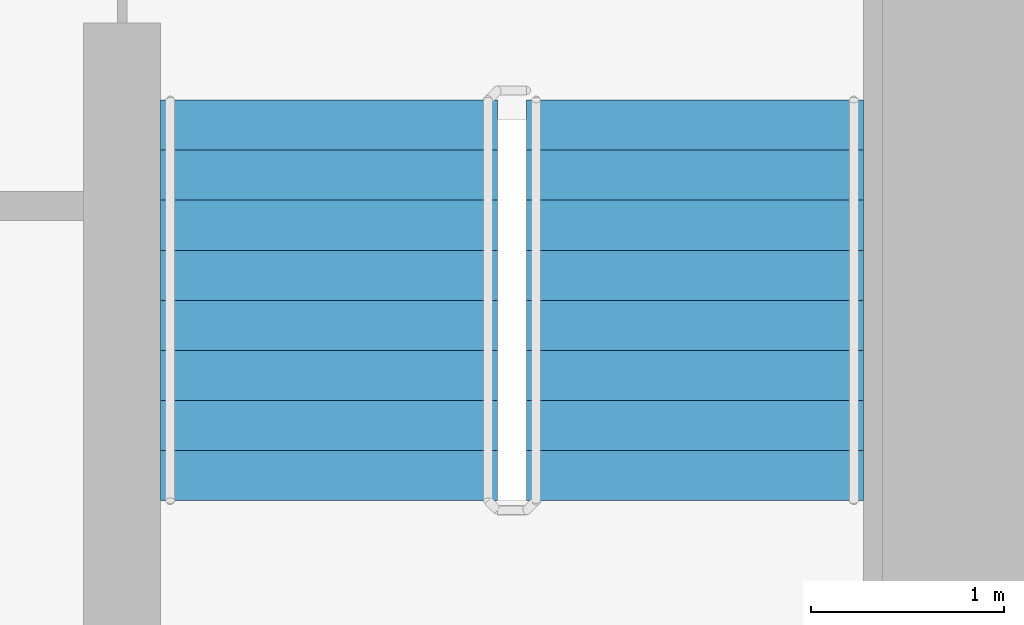
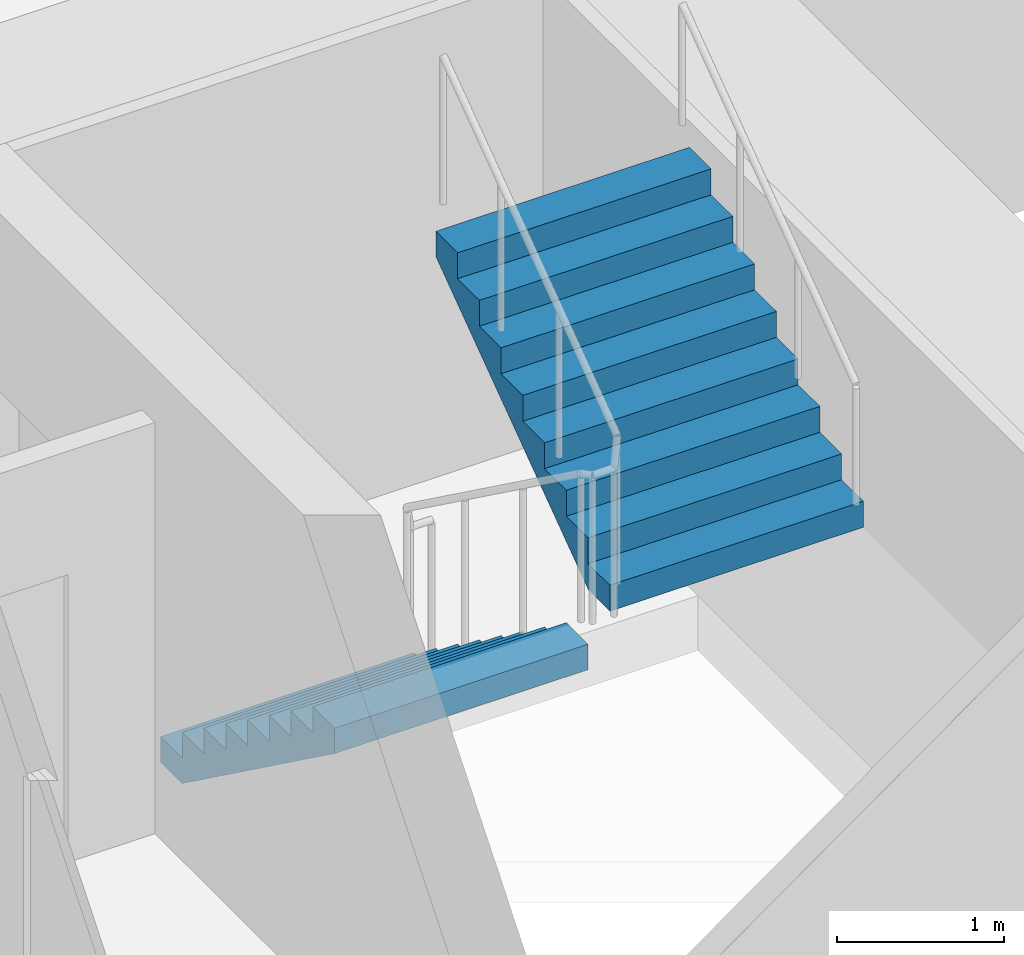
# One storey, part 18 of 21: 2 stair flights, 1 element without a shape of its own.
"""IFC4 building model written with IfcOpenShell, lengths in metres."""

import ifcopenshell
import ifcopenshell.guid

model = None  # the IFC model being written
_history = None  # IfcOwnerHistory: only IFC2X3 demands one
_inside = {}  # id of a spatial element -> (the spatial element, [elements in it])
_under = {}  # id of a project, library or spatial element -> (it, [spatial elements below it])
_declared = {}  # id of a project -> (the project, [libraries it declares])
_typed = {}  # id of a type object -> (the type object, [elements of that type])
_made_of = {}  # id of a material, layer set ... -> (it, [elements and type objects made of it])


def new_model(schema):
    """Start an empty IFC model of exactly this schema.

    Asked for "IFC4X3", IfcOpenShell would pick the latest addendum, in which some entities
    have other attributes; the version numbers below select the first issue.
    IFC2X3 requires an IfcOwnerHistory on every rooted entity: one is made here for all.
    """
    global model, _history
    if schema == "IFC4X3":
        model = ifcopenshell.file(schema_version=(4, 3, 0, 0))
    else:
        model = ifcopenshell.file(schema=schema)
    _inside.clear()
    _under.clear()
    _declared.clear()
    _typed.clear()
    _made_of.clear()
    _history = None
    if model.schema == "IFC2X3":
        org = make("IfcOrganization", Name="unknown")
        user = make(
            "IfcPersonAndOrganization",
            ThePerson=make("IfcPerson", FamilyName="unknown"),
            TheOrganization=org,
        )
        app = make(
            "IfcApplication",
            ApplicationDeveloper=org,
            Version="unknown",
            ApplicationFullName="unknown",
            ApplicationIdentifier="unknown",
        )
        _history = make(
            "IfcOwnerHistory",
            OwningUser=user,
            OwningApplication=app,
            ChangeAction="ADDED",
            CreationDate=0,
        )
    return model


def make(cls, **values):
    """One entity of the class cls with the attributes given. An attribute that is None is left unset."""
    return model.create_entity(
        cls, **{name: value for name, value in values.items() if value is not None}
    )


def rooted(cls, **values):
    """An entity with a GlobalId (a new one), such as an element, a storey or a relation."""
    return make(cls, GlobalId=ifcopenshell.guid.new(), OwnerHistory=_history, **values)


def si_unit(unit_type, name, prefix=None):
    """IfcSIUnit, for example si_unit("LENGTHUNIT", "METRE", prefix="MILLI")."""
    return make("IfcSIUnit", UnitType=unit_type, Prefix=prefix, Name=name)


def assignment(units):
    """IfcUnitAssignment: the units of a project."""
    return None if units is None else make("IfcUnitAssignment", Units=units)


def point(xyz):
    """IfcCartesianPoint."""
    return None if xyz is None else make("IfcCartesianPoint", Coordinates=xyz)


def direction(xyz):
    """IfcDirection."""
    return None if xyz is None else make("IfcDirection", DirectionRatios=xyz)


def frame(location, z_axis=None, x_axis=None):
    """IfcAxis2Placement3D, a coordinate frame: its origin and axes. An axis left out is left unset."""
    return make(
        "IfcAxis2Placement3D",
        Location=point(location),
        Axis=direction(z_axis),
        RefDirection=direction(x_axis),
    )


def origin():
    """The frame at (0, 0, 0) with its axes left unset."""
    return frame((0.0, 0.0, 0.0))


def place(relative_to, where):
    """IfcLocalPlacement: puts the frame where relative to a parent placement (None: the world)."""
    return make(
        "IfcLocalPlacement", PlacementRelTo=relative_to, RelativePlacement=where
    )


def context(
    kind, dimensions, precision=None, world=None, true_north=None, identifier=None
):
    """IfcGeometricRepresentationContext, for example the 3D "Model" context."""
    return make(
        "IfcGeometricRepresentationContext",
        ContextIdentifier=identifier,
        ContextType=kind,
        CoordinateSpaceDimension=dimensions,
        Precision=precision,
        WorldCoordinateSystem=world,
        TrueNorth=true_north,
    )


def subcontext(parent, identifier, kind, view, scale=None):
    """IfcGeometricRepresentationSubContext, for example "Body" below "Model"."""
    return make(
        "IfcGeometricRepresentationSubContext",
        ContextIdentifier=identifier,
        ContextType=kind,
        ParentContext=parent,
        TargetScale=scale,
        TargetView=view,
    )


def project(units=None, contexts=None):
    """IfcProject with its units and contexts."""
    return rooted(
        "IfcProject",
        Name="project",
        RepresentationContexts=contexts,
        UnitsInContext=assignment(units),
    )


def spatial(cls, under=None, at=None, **own):
    """A site, building, storey or space (cls), placed at a placement, below another one or the project."""
    s = rooted(cls, ObjectPlacement=at, **own)
    if under is not None:
        _under.setdefault(under.id(), (under, []))[1].append(s)
    return s


def faces_of(points, faces, orient=None, outer=None):
    """IfcFace entities. A face is a list of loops; a loop is a list of indices into points, from 0.

    orient and outer hold one flag for each loop. By default every Orientation is true, the
    first loop of a face is its IfcFaceOuterBound and the others are IfcFaceBound.
    """
    made = []
    for i, loops in enumerate(faces):
        bounds = []
        for j, loop in enumerate(loops):
            is_outer = j == 0 if outer is None else outer[i][j]
            bounds.append(
                make(
                    "IfcFaceOuterBound" if is_outer else "IfcFaceBound",
                    Bound=make("IfcPolyLoop", Polygon=[points[k] for k in loop]),
                    Orientation=True if orient is None else orient[i][j],
                )
            )
        made.append(make("IfcFace", Bounds=bounds))
    return made


def faceted_brep(points, faces, orient=None, outer=None, voids=None):
    """IfcFacetedBrep: a solid bounded by flat faces; with voids (closed shells), ...WithVoids."""
    shared = [point(p) for p in points]
    hull = make("IfcClosedShell", CfsFaces=faces_of(shared, faces, orient, outer))
    if voids is None:
        return make("IfcFacetedBrep", Outer=hull)
    return make(
        "IfcFacetedBrepWithVoids",
        Outer=hull,
        Voids=[
            make(cls, CfsFaces=faces_of(shared, fs, o, b)) for cls, fs, o, b in voids
        ],
    )


def shape(context_of_items, identifier, shape_type, items):
    """IfcShapeRepresentation: the items that make up one representation, for example the "Body"."""
    return make(
        "IfcShapeRepresentation",
        ContextOfItems=context_of_items,
        RepresentationIdentifier=identifier,
        RepresentationType=shape_type,
        Items=items,
    )


def material(Name=None, Category=None):
    """IfcMaterial."""
    return make("IfcMaterial", Name=Name, Category=Category)


def made_of(thing, what):
    """Note that an element or type object is made of a material, layer set ...; save() writes the relation."""
    if what is not None:
        _made_of.setdefault(what.id(), (what, []))[1].append(thing)
    return thing


def type_object(cls, material=None, **own):
    """A type object (cls), such as IfcWallType, which elements share."""
    return made_of(rooted(cls, **own), material)


def element(
    cls,
    number,
    at=None,
    inside=None,
    cuts=None,
    type_object=None,
    material=None,
    context=None,
    identifier="Body",
    shape_type=None,
    held_by="IfcProductDefinitionShape",
    body=None,
    shapes=None,
    **own,
):
    """One element of the class cls, such as IfcWall. Its Tag is "e" and its number.

    at: its placement. inside: the storey or other place that contains it. cuts: it is an
    opening in that element (IfcRelVoidsElement). A single representation is given by context,
    identifier, shape_type and body (its items); several are given by shapes. held_by: the class
    of the entity that holds the representations. save() writes the other relations.
    """
    e = rooted(cls, Tag="e%d" % number, ObjectPlacement=at, **own)
    if body is not None:
        shapes = [shape(context, identifier, shape_type, body)]
    if shapes is not None:
        e.Representation = make(held_by, Representations=shapes)
    if inside is not None:
        _inside.setdefault(inside.id(), (inside, []))[1].append(e)
    if cuts is not None:
        rooted(
            "IfcRelVoidsElement", RelatingBuildingElement=cuts, RelatedOpeningElement=e
        )
    if type_object is not None:
        _typed.setdefault(type_object.id(), (type_object, []))[1].append(e)
    return made_of(e, material)


def aggregate(whole, parts):
    """IfcRelAggregates: a whole, such as a stair, and the parts it consists of."""
    return rooted("IfcRelAggregates", RelatingObject=whole, RelatedObjects=parts)


def save(model, path):
    """Write the relations noted so far, then the file.

    IfcRelAggregates (storeys below a building ...), IfcRelContainedInSpatialStructure (elements
    in a storey), IfcRelDefinesByType, IfcRelAssociatesMaterial and IfcRelDeclares: one each for
    every whole, place, type object, material and project.
    """
    for whole, parts in _under.values():
        aggregate(whole, parts)
    for where, things in _inside.values():
        rooted(
            "IfcRelContainedInSpatialStructure",
            RelatedElements=things,
            RelatingStructure=where,
        )
    for kind, things in _typed.values():
        rooted("IfcRelDefinesByType", RelatedObjects=things, RelatingType=kind)
    for what, things in _made_of.values():
        rooted("IfcRelAssociatesMaterial", RelatedObjects=things, RelatingMaterial=what)
    for by, libraries in _declared.values():
        rooted("IfcRelDeclares", RelatingContext=by, RelatedDefinitions=libraries)
    model.write(path)


model = new_model("IFC4")

# Units and contexts
model_context = context("Model", 3, precision=1e-05, world=origin(), true_north=direction((0.0, 1.0)))
body_context = subcontext(model_context, "Body", "Model", "MODEL_VIEW")
ifc_project = project(units=[si_unit("LENGTHUNIT", "METRE"), si_unit("AREAUNIT", "SQUARE_METRE"), si_unit("VOLUMEUNIT", "CUBIC_METRE"), si_unit("PLANEANGLEUNIT", "RADIAN"), si_unit("MASSUNIT", "GRAM", prefix="KILO")], contexts=[model_context])

# Site, building, storey
site_placement = place(None, origin())
site = spatial("IfcSite", under=ifc_project, at=site_placement, CompositionType="ELEMENT")
building_placement = place(site_placement, origin())
building = spatial("IfcBuilding", under=site, at=building_placement, Name="Ipe Terrace Towers", CompositionType="ELEMENT")
storey_placement = place(building_placement, frame((0.0, 0.0, 41.5)))
storey = spatial("IfcBuildingStorey", under=building, at=storey_placement, Name="L10", CompositionType="ELEMENT", Elevation=41.5)

# Stair, stair flights
ifc_material_1 = material(Name="Concrete C30/37", Category="concrete")
stair_type = type_object("IfcStairType", Name="Protected exit stair", PredefinedType="HALF_TURN_STAIR", material=ifc_material_1)
stair_placement = place(storey_placement, origin())
stair = element("IfcStair", 1, at=stair_placement, inside=storey, type_object=stair_type, Name="L10 Exit stair T2-C2", PredefinedType="HALF_TURN_STAIR")
ifc_material_2 = material(Name="Concrete C30/37", Category="concrete")
stair_flight_type = type_object("IfcStairFlightType", Name="Exit stair flight 1750", PredefinedType="STRAIGHT", material=ifc_material_2)
stair_flight_1_placement = place(storey_placement, frame((38.77490234375, -9.699951171875, 0.0), z_axis=(0.0, 0.0, 1.0), x_axis=(0.0, -1.0, 0.0)))
stair_flight_1 = element("IfcStairFlight", 2, at=stair_flight_1_placement, type_object=stair_flight_type, Name="T2-ST2 flight 1", NumberOfRisers=9, NumberOfTreads=8, PredefinedType="STRAIGHT", RiserHeight=0.188888889, TreadLength=0.26, context=body_context, shape_type="Brep", body=[
    faceted_brep([(0.255126953125, -0.875, 0.0), (2.080078125, -0.875, 1.325927734375), (2.080078125, -0.875, 1.51123046875), (1.820068359375, -0.875, 1.51123046875), (1.820068359375, -0.875, 1.322265625), (1.56005859375, -0.875, 1.322265625), (1.56005859375, -0.875, 1.13330078125), (1.300048828125, -0.875, 1.13330078125), (1.300048828125, -0.875, 0.9443359375), (1.0400390625, -0.875, 0.9443359375), (1.0400390625, -0.875, 0.755615234375), (0.780029296875, -0.875, 0.755615234375), (0.780029296875, -0.875, 0.566650390625), (0.52001953125, -0.875, 0.566650390625), (0.52001953125, -0.875, 0.377685546875), (0.260009765625, -0.875, 0.377685546875), (0.260009765625, -0.875, 0.18896484375), (0.0, -0.875, 0.18896484375), (0.0, -0.875, 0.0), (0.0, 0.875, 0.0), (0.0, 0.875, 0.18896484375), (0.260009765625, 0.875, 0.18896484375), (0.260009765625, 0.875, 0.377685546875), (0.52001953125, 0.875, 0.377685546875), (0.52001953125, 0.875, 0.566650390625), (0.780029296875, 0.875, 0.566650390625), (0.780029296875, 0.875, 0.755615234375), (1.0400390625, 0.875, 0.755615234375), (1.0400390625, 0.875, 0.9443359375), (1.300048828125, 0.875, 0.9443359375), (1.300048828125, 0.875, 1.13330078125), (1.56005859375, 0.875, 1.13330078125), (1.56005859375, 0.875, 1.322265625), (1.820068359375, 0.875, 1.322265625), (1.820068359375, 0.875, 1.51123046875), (2.080078125, 0.875, 1.51123046875), (2.080078125, 0.875, 1.325927734375), (0.255126953125, 0.875, 0.0), (0.0, -0.300048828125, 0.18896484375), (0.0, -0.1201171875, 0.18896484375), (0.0, -0.06005859375, 0.18896484375), (0.0, -0.030029296875, 0.18896484375), (0.0, -0.010009765625, 0.18896484375), (0.0, 0.0, 0.18896484375), (0.0, 0.010009765625, 0.18896484375), (0.0, 0.030029296875, 0.18896484375), (0.0, 0.06005859375, 0.18896484375), (0.0, 0.1201171875, 0.18896484375), (0.0, 0.300048828125, 0.18896484375), (0.0, 0.300048828125, 0.0), (0.0, 0.1201171875, 0.0), (0.0, 0.06005859375, 0.0), (0.0, 0.030029296875, 0.0), (0.0, 0.010009765625, 0.0), (0.0, 0.0, 0.0), (0.0, -0.010009765625, 0.0), (0.0, -0.030029296875, 0.0), (0.0, -0.06005859375, 0.0), (0.0, -0.1201171875, 0.0), (0.0, -0.300048828125, 0.0), (0.260009765625, -0.300048828125, 0.18896484375), (0.260009765625, -0.1201171875, 0.18896484375), (0.260009765625, -0.06005859375, 0.18896484375), (0.260009765625, -0.030029296875, 0.18896484375), (0.260009765625, -0.010009765625, 0.18896484375), (0.260009765625, 0.0, 0.18896484375), (0.260009765625, 0.010009765625, 0.18896484375), (0.260009765625, 0.030029296875, 0.18896484375), (0.260009765625, 0.06005859375, 0.18896484375), (0.260009765625, 0.1201171875, 0.18896484375), (0.260009765625, 0.300048828125, 0.18896484375), (0.260009765625, -0.300048828125, 0.377685546875), (0.260009765625, -0.1201171875, 0.377685546875), (0.260009765625, -0.06005859375, 0.377685546875), (0.260009765625, -0.030029296875, 0.377685546875), (0.260009765625, -0.010009765625, 0.377685546875), (0.260009765625, 0.0, 0.377685546875), (0.260009765625, 0.010009765625, 0.377685546875), (0.260009765625, 0.030029296875, 0.377685546875), (0.260009765625, 0.06005859375, 0.377685546875), (0.260009765625, 0.1201171875, 0.377685546875), (0.260009765625, 0.300048828125, 0.377685546875), (0.52001953125, -0.300048828125, 0.377685546875), (0.52001953125, -0.1201171875, 0.377685546875), (0.52001953125, -0.06005859375, 0.377685546875), (0.52001953125, -0.030029296875, 0.377685546875), (0.52001953125, -0.010009765625, 0.377685546875), (0.52001953125, 0.0, 0.377685546875), (0.52001953125, 0.010009765625, 0.377685546875), (0.52001953125, 0.030029296875, 0.377685546875), (0.52001953125, 0.06005859375, 0.377685546875), (0.52001953125, 0.1201171875, 0.377685546875), (0.52001953125, 0.300048828125, 0.377685546875), (0.52001953125, -0.300048828125, 0.566650390625), (0.52001953125, -0.1201171875, 0.566650390625), (0.52001953125, -0.06005859375, 0.566650390625), (0.52001953125, -0.030029296875, 0.566650390625), (0.52001953125, -0.010009765625, 0.566650390625), (0.52001953125, 0.0, 0.566650390625), (0.52001953125, 0.010009765625, 0.566650390625), (0.52001953125, 0.030029296875, 0.566650390625), (0.52001953125, 0.06005859375, 0.566650390625), (0.52001953125, 0.1201171875, 0.566650390625), (0.52001953125, 0.300048828125, 0.566650390625), (0.780029296875, -0.300048828125, 0.566650390625), (0.780029296875, -0.1201171875, 0.566650390625), (0.780029296875, -0.06005859375, 0.566650390625), (0.780029296875, -0.030029296875, 0.566650390625), (0.780029296875, -0.010009765625, 0.566650390625), (0.780029296875, 0.0, 0.566650390625), (0.780029296875, 0.010009765625, 0.566650390625), (0.780029296875, 0.030029296875, 0.566650390625), (0.780029296875, 0.06005859375, 0.566650390625), (0.780029296875, 0.1201171875, 0.566650390625), (0.780029296875, 0.300048828125, 0.566650390625), (0.780029296875, -0.300048828125, 0.755615234375), (0.780029296875, -0.1201171875, 0.755615234375), (0.780029296875, -0.06005859375, 0.755615234375), (0.780029296875, -0.030029296875, 0.755615234375), (0.780029296875, -0.010009765625, 0.755615234375), (0.780029296875, 0.0, 0.755615234375), (0.780029296875, 0.010009765625, 0.755615234375), (0.780029296875, 0.030029296875, 0.755615234375), (0.780029296875, 0.06005859375, 0.755615234375), (0.780029296875, 0.1201171875, 0.755615234375), (0.780029296875, 0.300048828125, 0.755615234375), (1.0400390625, -0.300048828125, 0.755615234375), (1.0400390625, -0.1201171875, 0.755615234375), (1.0400390625, -0.06005859375, 0.755615234375), (1.0400390625, -0.030029296875, 0.755615234375), (1.0400390625, -0.010009765625, 0.755615234375), (1.0400390625, 0.0, 0.755615234375), (1.0400390625, 0.010009765625, 0.755615234375), (1.0400390625, 0.030029296875, 0.755615234375), (1.0400390625, 0.06005859375, 0.755615234375), (1.0400390625, 0.1201171875, 0.755615234375), (1.0400390625, 0.300048828125, 0.755615234375), (1.0400390625, -0.300048828125, 0.9443359375), (1.0400390625, -0.1201171875, 0.9443359375), (1.0400390625, -0.06005859375, 0.9443359375), (1.0400390625, -0.030029296875, 0.9443359375), (1.0400390625, -0.010009765625, 0.9443359375), (1.0400390625, 0.0, 0.9443359375), (1.0400390625, 0.010009765625, 0.9443359375), (1.0400390625, 0.030029296875, 0.9443359375), (1.0400390625, 0.06005859375, 0.9443359375), (1.0400390625, 0.1201171875, 0.9443359375), (1.0400390625, 0.300048828125, 0.9443359375), (1.300048828125, -0.300048828125, 0.9443359375), (1.300048828125, -0.1201171875, 0.9443359375), (1.300048828125, -0.06005859375, 0.9443359375), (1.300048828125, -0.030029296875, 0.9443359375), (1.300048828125, -0.010009765625, 0.9443359375), (1.300048828125, 0.0, 0.9443359375), (1.300048828125, 0.010009765625, 0.9443359375), (1.300048828125, 0.030029296875, 0.9443359375), (1.300048828125, 0.06005859375, 0.9443359375), (1.300048828125, 0.1201171875, 0.9443359375), (1.300048828125, 0.300048828125, 0.9443359375), (1.300048828125, -0.300048828125, 1.13330078125), (1.300048828125, -0.1201171875, 1.13330078125), (1.300048828125, -0.06005859375, 1.13330078125), (1.300048828125, -0.030029296875, 1.13330078125), (1.300048828125, -0.010009765625, 1.13330078125), (1.300048828125, 0.0, 1.13330078125), (1.300048828125, 0.010009765625, 1.13330078125), (1.300048828125, 0.030029296875, 1.13330078125), (1.300048828125, 0.06005859375, 1.13330078125), (1.300048828125, 0.1201171875, 1.13330078125), (1.300048828125, 0.300048828125, 1.13330078125), (1.56005859375, -0.300048828125, 1.13330078125), (1.56005859375, -0.1201171875, 1.13330078125), (1.56005859375, -0.06005859375, 1.13330078125), (1.56005859375, -0.030029296875, 1.13330078125), (1.56005859375, -0.010009765625, 1.13330078125), (1.56005859375, 0.0, 1.13330078125), (1.56005859375, 0.010009765625, 1.13330078125), (1.56005859375, 0.030029296875, 1.13330078125), (1.56005859375, 0.06005859375, 1.13330078125), (1.56005859375, 0.1201171875, 1.13330078125), (1.56005859375, 0.300048828125, 1.13330078125), (1.56005859375, -0.300048828125, 1.322265625), (1.56005859375, -0.1201171875, 1.322265625), (1.56005859375, -0.06005859375, 1.322265625), (1.56005859375, -0.030029296875, 1.322265625), (1.56005859375, -0.010009765625, 1.322265625), (1.56005859375, 0.0, 1.322265625), (1.56005859375, 0.010009765625, 1.322265625), (1.56005859375, 0.030029296875, 1.322265625), (1.56005859375, 0.06005859375, 1.322265625), (1.56005859375, 0.1201171875, 1.322265625), (1.56005859375, 0.300048828125, 1.322265625), (1.820068359375, -0.300048828125, 1.322265625), (1.820068359375, -0.1201171875, 1.322265625), (1.820068359375, -0.06005859375, 1.322265625), (1.820068359375, -0.030029296875, 1.322265625), (1.820068359375, -0.010009765625, 1.322265625), (1.820068359375, 0.0, 1.322265625), (1.820068359375, 0.010009765625, 1.322265625), (1.820068359375, 0.030029296875, 1.322265625), (1.820068359375, 0.06005859375, 1.322265625), (1.820068359375, 0.1201171875, 1.322265625), (1.820068359375, 0.300048828125, 1.322265625), (1.820068359375, -0.300048828125, 1.51123046875), (1.820068359375, -0.1201171875, 1.51123046875), (1.820068359375, -0.06005859375, 1.51123046875), (1.820068359375, -0.030029296875, 1.51123046875), (1.820068359375, -0.010009765625, 1.51123046875), (1.820068359375, 0.0, 1.51123046875), (1.820068359375, 0.010009765625, 1.51123046875), (1.820068359375, 0.030029296875, 1.51123046875), (1.820068359375, 0.06005859375, 1.51123046875), (1.820068359375, 0.1201171875, 1.51123046875), (1.820068359375, 0.300048828125, 1.51123046875), (2.080078125, -0.300048828125, 1.51123046875), (2.080078125, -0.1201171875, 1.51123046875), (2.080078125, -0.06005859375, 1.51123046875), (2.080078125, -0.030029296875, 1.51123046875), (2.080078125, -0.010009765625, 1.51123046875), (2.080078125, 0.0, 1.51123046875), (2.080078125, 0.010009765625, 1.51123046875), (2.080078125, 0.030029296875, 1.51123046875), (2.080078125, 0.06005859375, 1.51123046875), (2.080078125, 0.1201171875, 1.51123046875), (2.080078125, 0.300048828125, 1.51123046875), (2.080078125, -0.300048828125, 1.325927734375), (2.080078125, -0.1201171875, 1.325927734375), (2.080078125, -0.06005859375, 1.325927734375), (2.080078125, -0.030029296875, 1.325927734375), (2.080078125, -0.010009765625, 1.325927734375), (2.080078125, 0.0, 1.325927734375), (2.080078125, 0.010009765625, 1.325927734375), (2.080078125, 0.030029296875, 1.325927734375), (2.080078125, 0.06005859375, 1.325927734375), (2.080078125, 0.1201171875, 1.325927734375), (2.080078125, 0.300048828125, 1.325927734375), (0.255126953125, -0.300048828125, 0.0), (0.255126953125, -0.1201171875, 0.0), (0.255126953125, -0.06005859375, 0.0), (0.255126953125, -0.030029296875, 0.0), (0.255126953125, -0.010009765625, 0.0), (0.255126953125, 0.0, 0.0), (0.255126953125, 0.010009765625, 0.0), (0.255126953125, 0.030029296875, 0.0), (0.255126953125, 0.06005859375, 0.0), (0.255126953125, 0.1201171875, 0.0), (0.255126953125, 0.300048828125, 0.0)], [[[0, 1, 2, 3, 4, 5, 6, 7, 8, 9, 10, 11, 12, 13, 14, 15, 16, 17, 18]], [[19, 20, 21, 22, 23, 24, 25, 26, 27, 28, 29, 30, 31, 32, 33, 34, 35, 36, 37]], [[17, 38, 39, 40, 41, 42, 43, 44, 45, 46, 47, 48, 20, 19, 49, 50, 51, 52, 53, 54, 55, 56, 57, 58, 59, 18]], [[16, 60, 61, 62, 63, 64, 65, 66, 67, 68, 69, 70, 21, 20, 48, 47, 46, 45, 44, 43, 42, 41, 40, 39, 38, 17]], [[15, 71, 72, 73, 74, 75, 76, 77, 78, 79, 80, 81, 22, 21, 70, 69, 68, 67, 66, 65, 64, 63, 62, 61, 60, 16]], [[14, 82, 83, 84, 85, 86, 87, 88, 89, 90, 91, 92, 23, 22, 81, 80, 79, 78, 77, 76, 75, 74, 73, 72, 71, 15]], [[13, 93, 94, 95, 96, 97, 98, 99, 100, 101, 102, 103, 24, 23, 92, 91, 90, 89, 88, 87, 86, 85, 84, 83, 82, 14]], [[12, 104, 105, 106, 107, 108, 109, 110, 111, 112, 113, 114, 25, 24, 103, 102, 101, 100, 99, 98, 97, 96, 95, 94, 93, 13]], [[11, 115, 116, 117, 118, 119, 120, 121, 122, 123, 124, 125, 26, 25, 114, 113, 112, 111, 110, 109, 108, 107, 106, 105, 104, 12]], [[10, 126, 127, 128, 129, 130, 131, 132, 133, 134, 135, 136, 27, 26, 125, 124, 123, 122, 121, 120, 119, 118, 117, 116, 115, 11]], [[9, 137, 138, 139, 140, 141, 142, 143, 144, 145, 146, 147, 28, 27, 136, 135, 134, 133, 132, 131, 130, 129, 128, 127, 126, 10]], [[8, 148, 149, 150, 151, 152, 153, 154, 155, 156, 157, 158, 29, 28, 147, 146, 145, 144, 143, 142, 141, 140, 139, 138, 137, 9]], [[7, 159, 160, 161, 162, 163, 164, 165, 166, 167, 168, 169, 30, 29, 158, 157, 156, 155, 154, 153, 152, 151, 150, 149, 148, 8]], [[6, 170, 171, 172, 173, 174, 175, 176, 177, 178, 179, 180, 31, 30, 169, 168, 167, 166, 165, 164, 163, 162, 161, 160, 159, 7]], [[5, 181, 182, 183, 184, 185, 186, 187, 188, 189, 190, 191, 32, 31, 180, 179, 178, 177, 176, 175, 174, 173, 172, 171, 170, 6]], [[4, 192, 193, 194, 195, 196, 197, 198, 199, 200, 201, 202, 33, 32, 191, 190, 189, 188, 187, 186, 185, 184, 183, 182, 181, 5]], [[3, 203, 204, 205, 206, 207, 208, 209, 210, 211, 212, 213, 34, 33, 202, 201, 200, 199, 198, 197, 196, 195, 194, 193, 192, 4]], [[2, 214, 215, 216, 217, 218, 219, 220, 221, 222, 223, 224, 35, 34, 213, 212, 211, 210, 209, 208, 207, 206, 205, 204, 203, 3]], [[1, 225, 226, 227, 228, 229, 230, 231, 232, 233, 234, 235, 36, 35, 224, 223, 222, 221, 220, 219, 218, 217, 216, 215, 214, 2]], [[0, 236, 237, 238, 239, 240, 241, 242, 243, 244, 245, 246, 37, 36, 235, 234, 233, 232, 231, 230, 229, 228, 227, 226, 225, 1]], [[18, 59, 58, 57, 56, 55, 54, 53, 52, 51, 50, 49, 19, 37, 246, 245, 244, 243, 242, 241, 240, 239, 238, 237, 236, 0]]]),
])
stair_flight_2_placement = place(storey_placement, frame((40.675048828125, -11.780029296875, 1.699951171875), z_axis=(0.0, 0.0, 1.0), x_axis=(0.0, 1.0, 0.0)))
stair_flight_2 = element("IfcStairFlight", 3, at=stair_flight_2_placement, type_object=stair_flight_type, Name="T2-ST2 flight 2", NumberOfRisers=9, NumberOfTreads=8, PredefinedType="STRAIGHT", RiserHeight=0.188888889, TreadLength=0.26, context=body_context, shape_type="Brep", body=[
    faceted_brep([(0.255126953125, -0.875, 0.0), (2.080078125, -0.875, 1.325927734375), (2.080078125, -0.875, 1.51123046875), (1.820068359375, -0.875, 1.51123046875), (1.820068359375, -0.875, 1.322265625), (1.56005859375, -0.875, 1.322265625), (1.56005859375, -0.875, 1.13330078125), (1.300048828125, -0.875, 1.13330078125), (1.300048828125, -0.875, 0.9443359375), (1.0400390625, -0.875, 0.9443359375), (1.0400390625, -0.875, 0.755615234375), (0.780029296875, -0.875, 0.755615234375), (0.780029296875, -0.875, 0.566650390625), (0.52001953125, -0.875, 0.566650390625), (0.52001953125, -0.875, 0.377685546875), (0.260009765625, -0.875, 0.377685546875), (0.260009765625, -0.875, 0.18896484375), (0.0, -0.875, 0.18896484375), (0.0, -0.875, 0.0), (0.0, 0.875, 0.0), (0.0, 0.875, 0.18896484375), (0.260009765625, 0.875, 0.18896484375), (0.260009765625, 0.875, 0.377685546875), (0.52001953125, 0.875, 0.377685546875), (0.52001953125, 0.875, 0.566650390625), (0.780029296875, 0.875, 0.566650390625), (0.780029296875, 0.875, 0.755615234375), (1.0400390625, 0.875, 0.755615234375), (1.0400390625, 0.875, 0.9443359375), (1.300048828125, 0.875, 0.9443359375), (1.300048828125, 0.875, 1.13330078125), (1.56005859375, 0.875, 1.13330078125), (1.56005859375, 0.875, 1.322265625), (1.820068359375, 0.875, 1.322265625), (1.820068359375, 0.875, 1.51123046875), (2.080078125, 0.875, 1.51123046875), (2.080078125, 0.875, 1.325927734375), (0.255126953125, 0.875, 0.0), (0.0, -0.300048828125, 0.18896484375), (0.0, -0.1201171875, 0.18896484375), (0.0, -0.06005859375, 0.18896484375), (0.0, -0.030029296875, 0.18896484375), (0.0, -0.010009765625, 0.18896484375), (0.0, 0.0, 0.18896484375), (0.0, 0.010009765625, 0.18896484375), (0.0, 0.030029296875, 0.18896484375), (0.0, 0.06005859375, 0.18896484375), (0.0, 0.1201171875, 0.18896484375), (0.0, 0.300048828125, 0.18896484375), (0.0, 0.300048828125, 0.0), (0.0, 0.1201171875, 0.0), (0.0, 0.06005859375, 0.0), (0.0, 0.030029296875, 0.0), (0.0, 0.010009765625, 0.0), (0.0, 0.0, 0.0), (0.0, -0.010009765625, 0.0), (0.0, -0.030029296875, 0.0), (0.0, -0.06005859375, 0.0), (0.0, -0.1201171875, 0.0), (0.0, -0.300048828125, 0.0), (0.260009765625, -0.300048828125, 0.18896484375), (0.260009765625, -0.1201171875, 0.18896484375), (0.260009765625, -0.06005859375, 0.18896484375), (0.260009765625, -0.030029296875, 0.18896484375), (0.260009765625, -0.010009765625, 0.18896484375), (0.260009765625, 0.0, 0.18896484375), (0.260009765625, 0.010009765625, 0.18896484375), (0.260009765625, 0.030029296875, 0.18896484375), (0.260009765625, 0.06005859375, 0.18896484375), (0.260009765625, 0.1201171875, 0.18896484375), (0.260009765625, 0.300048828125, 0.18896484375), (0.260009765625, -0.300048828125, 0.377685546875), (0.260009765625, -0.1201171875, 0.377685546875), (0.260009765625, -0.06005859375, 0.377685546875), (0.260009765625, -0.030029296875, 0.377685546875), (0.260009765625, -0.010009765625, 0.377685546875), (0.260009765625, 0.0, 0.377685546875), (0.260009765625, 0.010009765625, 0.377685546875), (0.260009765625, 0.030029296875, 0.377685546875), (0.260009765625, 0.06005859375, 0.377685546875), (0.260009765625, 0.1201171875, 0.377685546875), (0.260009765625, 0.300048828125, 0.377685546875), (0.52001953125, -0.300048828125, 0.377685546875), (0.52001953125, -0.1201171875, 0.377685546875), (0.52001953125, -0.06005859375, 0.377685546875), (0.52001953125, -0.030029296875, 0.377685546875), (0.52001953125, -0.010009765625, 0.377685546875), (0.52001953125, 0.0, 0.377685546875), (0.52001953125, 0.010009765625, 0.377685546875), (0.52001953125, 0.030029296875, 0.377685546875), (0.52001953125, 0.06005859375, 0.377685546875), (0.52001953125, 0.1201171875, 0.377685546875), (0.52001953125, 0.300048828125, 0.377685546875), (0.52001953125, -0.300048828125, 0.566650390625), (0.52001953125, -0.1201171875, 0.566650390625), (0.52001953125, -0.06005859375, 0.566650390625), (0.52001953125, -0.030029296875, 0.566650390625), (0.52001953125, -0.010009765625, 0.566650390625), (0.52001953125, 0.0, 0.566650390625), (0.52001953125, 0.010009765625, 0.566650390625), (0.52001953125, 0.030029296875, 0.566650390625), (0.52001953125, 0.06005859375, 0.566650390625), (0.52001953125, 0.1201171875, 0.566650390625), (0.52001953125, 0.300048828125, 0.566650390625), (0.780029296875, -0.300048828125, 0.566650390625), (0.780029296875, -0.1201171875, 0.566650390625), (0.780029296875, -0.06005859375, 0.566650390625), (0.780029296875, -0.030029296875, 0.566650390625), (0.780029296875, -0.010009765625, 0.566650390625), (0.780029296875, 0.0, 0.566650390625), (0.780029296875, 0.010009765625, 0.566650390625), (0.780029296875, 0.030029296875, 0.566650390625), (0.780029296875, 0.06005859375, 0.566650390625), (0.780029296875, 0.1201171875, 0.566650390625), (0.780029296875, 0.300048828125, 0.566650390625), (0.780029296875, -0.300048828125, 0.755615234375), (0.780029296875, -0.1201171875, 0.755615234375), (0.780029296875, -0.06005859375, 0.755615234375), (0.780029296875, -0.030029296875, 0.755615234375), (0.780029296875, -0.010009765625, 0.755615234375), (0.780029296875, 0.0, 0.755615234375), (0.780029296875, 0.010009765625, 0.755615234375), (0.780029296875, 0.030029296875, 0.755615234375), (0.780029296875, 0.06005859375, 0.755615234375), (0.780029296875, 0.1201171875, 0.755615234375), (0.780029296875, 0.300048828125, 0.755615234375), (1.0400390625, -0.300048828125, 0.755615234375), (1.0400390625, -0.1201171875, 0.755615234375), (1.0400390625, -0.06005859375, 0.755615234375), (1.0400390625, -0.030029296875, 0.755615234375), (1.0400390625, -0.010009765625, 0.755615234375), (1.0400390625, 0.0, 0.755615234375), (1.0400390625, 0.010009765625, 0.755615234375), (1.0400390625, 0.030029296875, 0.755615234375), (1.0400390625, 0.06005859375, 0.755615234375), (1.0400390625, 0.1201171875, 0.755615234375), (1.0400390625, 0.300048828125, 0.755615234375), (1.0400390625, -0.300048828125, 0.9443359375), (1.0400390625, -0.1201171875, 0.9443359375), (1.0400390625, -0.06005859375, 0.9443359375), (1.0400390625, -0.030029296875, 0.9443359375), (1.0400390625, -0.010009765625, 0.9443359375), (1.0400390625, 0.0, 0.9443359375), (1.0400390625, 0.010009765625, 0.9443359375), (1.0400390625, 0.030029296875, 0.9443359375), (1.0400390625, 0.06005859375, 0.9443359375), (1.0400390625, 0.1201171875, 0.9443359375), (1.0400390625, 0.300048828125, 0.9443359375), (1.300048828125, -0.300048828125, 0.9443359375), (1.300048828125, -0.1201171875, 0.9443359375), (1.300048828125, -0.06005859375, 0.9443359375), (1.300048828125, -0.030029296875, 0.9443359375), (1.300048828125, -0.010009765625, 0.9443359375), (1.300048828125, 0.0, 0.9443359375), (1.300048828125, 0.010009765625, 0.9443359375), (1.300048828125, 0.030029296875, 0.9443359375), (1.300048828125, 0.06005859375, 0.9443359375), (1.300048828125, 0.1201171875, 0.9443359375), (1.300048828125, 0.300048828125, 0.9443359375), (1.300048828125, -0.300048828125, 1.13330078125), (1.300048828125, -0.1201171875, 1.13330078125), (1.300048828125, -0.06005859375, 1.13330078125), (1.300048828125, -0.030029296875, 1.13330078125), (1.300048828125, -0.010009765625, 1.13330078125), (1.300048828125, 0.0, 1.13330078125), (1.300048828125, 0.010009765625, 1.13330078125), (1.300048828125, 0.030029296875, 1.13330078125), (1.300048828125, 0.06005859375, 1.13330078125), (1.300048828125, 0.1201171875, 1.13330078125), (1.300048828125, 0.300048828125, 1.13330078125), (1.56005859375, -0.300048828125, 1.13330078125), (1.56005859375, -0.1201171875, 1.13330078125), (1.56005859375, -0.06005859375, 1.13330078125), (1.56005859375, -0.030029296875, 1.13330078125), (1.56005859375, -0.010009765625, 1.13330078125), (1.56005859375, 0.0, 1.13330078125), (1.56005859375, 0.010009765625, 1.13330078125), (1.56005859375, 0.030029296875, 1.13330078125), (1.56005859375, 0.06005859375, 1.13330078125), (1.56005859375, 0.1201171875, 1.13330078125), (1.56005859375, 0.300048828125, 1.13330078125), (1.56005859375, -0.300048828125, 1.322265625), (1.56005859375, -0.1201171875, 1.322265625), (1.56005859375, -0.06005859375, 1.322265625), (1.56005859375, -0.030029296875, 1.322265625), (1.56005859375, -0.010009765625, 1.322265625), (1.56005859375, 0.0, 1.322265625), (1.56005859375, 0.010009765625, 1.322265625), (1.56005859375, 0.030029296875, 1.322265625), (1.56005859375, 0.06005859375, 1.322265625), (1.56005859375, 0.1201171875, 1.322265625), (1.56005859375, 0.300048828125, 1.322265625), (1.820068359375, -0.300048828125, 1.322265625), (1.820068359375, -0.1201171875, 1.322265625), (1.820068359375, -0.06005859375, 1.322265625), (1.820068359375, -0.030029296875, 1.322265625), (1.820068359375, -0.010009765625, 1.322265625), (1.820068359375, 0.0, 1.322265625), (1.820068359375, 0.010009765625, 1.322265625), (1.820068359375, 0.030029296875, 1.322265625), (1.820068359375, 0.06005859375, 1.322265625), (1.820068359375, 0.1201171875, 1.322265625), (1.820068359375, 0.300048828125, 1.322265625), (1.820068359375, -0.300048828125, 1.51123046875), (1.820068359375, -0.1201171875, 1.51123046875), (1.820068359375, -0.06005859375, 1.51123046875), (1.820068359375, -0.030029296875, 1.51123046875), (1.820068359375, -0.010009765625, 1.51123046875), (1.820068359375, 0.0, 1.51123046875), (1.820068359375, 0.010009765625, 1.51123046875), (1.820068359375, 0.030029296875, 1.51123046875), (1.820068359375, 0.06005859375, 1.51123046875), (1.820068359375, 0.1201171875, 1.51123046875), (1.820068359375, 0.300048828125, 1.51123046875), (2.080078125, -0.300048828125, 1.51123046875), (2.080078125, -0.1201171875, 1.51123046875), (2.080078125, -0.06005859375, 1.51123046875), (2.080078125, -0.030029296875, 1.51123046875), (2.080078125, -0.010009765625, 1.51123046875), (2.080078125, 0.0, 1.51123046875), (2.080078125, 0.010009765625, 1.51123046875), (2.080078125, 0.030029296875, 1.51123046875), (2.080078125, 0.06005859375, 1.51123046875), (2.080078125, 0.1201171875, 1.51123046875), (2.080078125, 0.300048828125, 1.51123046875), (2.080078125, -0.300048828125, 1.325927734375), (2.080078125, -0.1201171875, 1.325927734375), (2.080078125, -0.06005859375, 1.325927734375), (2.080078125, -0.030029296875, 1.325927734375), (2.080078125, -0.010009765625, 1.325927734375), (2.080078125, 0.0, 1.325927734375), (2.080078125, 0.010009765625, 1.325927734375), (2.080078125, 0.030029296875, 1.325927734375), (2.080078125, 0.06005859375, 1.325927734375), (2.080078125, 0.1201171875, 1.325927734375), (2.080078125, 0.300048828125, 1.325927734375), (0.255126953125, -0.300048828125, 0.0), (0.255126953125, -0.1201171875, 0.0), (0.255126953125, -0.06005859375, 0.0), (0.255126953125, -0.030029296875, 0.0), (0.255126953125, -0.010009765625, 0.0), (0.255126953125, 0.0, 0.0), (0.255126953125, 0.010009765625, 0.0), (0.255126953125, 0.030029296875, 0.0), (0.255126953125, 0.06005859375, 0.0), (0.255126953125, 0.1201171875, 0.0), (0.255126953125, 0.300048828125, 0.0)], [[[0, 1, 2, 3, 4, 5, 6, 7, 8, 9, 10, 11, 12, 13, 14, 15, 16, 17, 18]], [[19, 20, 21, 22, 23, 24, 25, 26, 27, 28, 29, 30, 31, 32, 33, 34, 35, 36, 37]], [[17, 38, 39, 40, 41, 42, 43, 44, 45, 46, 47, 48, 20, 19, 49, 50, 51, 52, 53, 54, 55, 56, 57, 58, 59, 18]], [[16, 60, 61, 62, 63, 64, 65, 66, 67, 68, 69, 70, 21, 20, 48, 47, 46, 45, 44, 43, 42, 41, 40, 39, 38, 17]], [[15, 71, 72, 73, 74, 75, 76, 77, 78, 79, 80, 81, 22, 21, 70, 69, 68, 67, 66, 65, 64, 63, 62, 61, 60, 16]], [[14, 82, 83, 84, 85, 86, 87, 88, 89, 90, 91, 92, 23, 22, 81, 80, 79, 78, 77, 76, 75, 74, 73, 72, 71, 15]], [[13, 93, 94, 95, 96, 97, 98, 99, 100, 101, 102, 103, 24, 23, 92, 91, 90, 89, 88, 87, 86, 85, 84, 83, 82, 14]], [[12, 104, 105, 106, 107, 108, 109, 110, 111, 112, 113, 114, 25, 24, 103, 102, 101, 100, 99, 98, 97, 96, 95, 94, 93, 13]], [[11, 115, 116, 117, 118, 119, 120, 121, 122, 123, 124, 125, 26, 25, 114, 113, 112, 111, 110, 109, 108, 107, 106, 105, 104, 12]], [[10, 126, 127, 128, 129, 130, 131, 132, 133, 134, 135, 136, 27, 26, 125, 124, 123, 122, 121, 120, 119, 118, 117, 116, 115, 11]], [[9, 137, 138, 139, 140, 141, 142, 143, 144, 145, 146, 147, 28, 27, 136, 135, 134, 133, 132, 131, 130, 129, 128, 127, 126, 10]], [[8, 148, 149, 150, 151, 152, 153, 154, 155, 156, 157, 158, 29, 28, 147, 146, 145, 144, 143, 142, 141, 140, 139, 138, 137, 9]], [[7, 159, 160, 161, 162, 163, 164, 165, 166, 167, 168, 169, 30, 29, 158, 157, 156, 155, 154, 153, 152, 151, 150, 149, 148, 8]], [[6, 170, 171, 172, 173, 174, 175, 176, 177, 178, 179, 180, 31, 30, 169, 168, 167, 166, 165, 164, 163, 162, 161, 160, 159, 7]], [[5, 181, 182, 183, 184, 185, 186, 187, 188, 189, 190, 191, 32, 31, 180, 179, 178, 177, 176, 175, 174, 173, 172, 171, 170, 6]], [[4, 192, 193, 194, 195, 196, 197, 198, 199, 200, 201, 202, 33, 32, 191, 190, 189, 188, 187, 186, 185, 184, 183, 182, 181, 5]], [[3, 203, 204, 205, 206, 207, 208, 209, 210, 211, 212, 213, 34, 33, 202, 201, 200, 199, 198, 197, 196, 195, 194, 193, 192, 4]], [[2, 214, 215, 216, 217, 218, 219, 220, 221, 222, 223, 224, 35, 34, 213, 212, 211, 210, 209, 208, 207, 206, 205, 204, 203, 3]], [[1, 225, 226, 227, 228, 229, 230, 231, 232, 233, 234, 235, 36, 35, 224, 223, 222, 221, 220, 219, 218, 217, 216, 215, 214, 2]], [[0, 236, 237, 238, 239, 240, 241, 242, 243, 244, 245, 246, 37, 36, 235, 234, 233, 232, 231, 230, 229, 228, 227, 226, 225, 1]], [[18, 59, 58, 57, 56, 55, 54, 53, 52, 51, 50, 49, 19, 37, 246, 245, 244, 243, 242, 241, 240, 239, 238, 237, 236, 0]]]),
])
aggregate(stair, [stair_flight_1, stair_flight_2])

save(model, "model.ifc")
